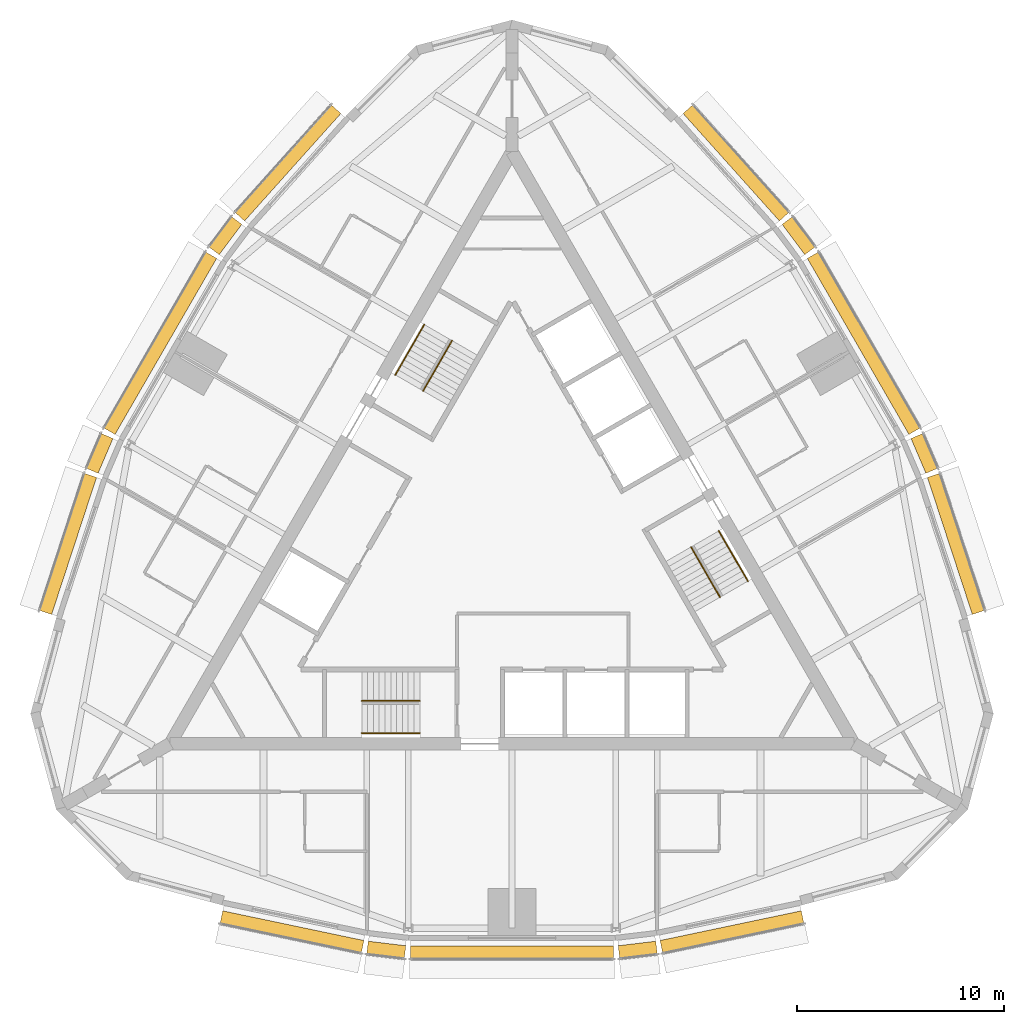
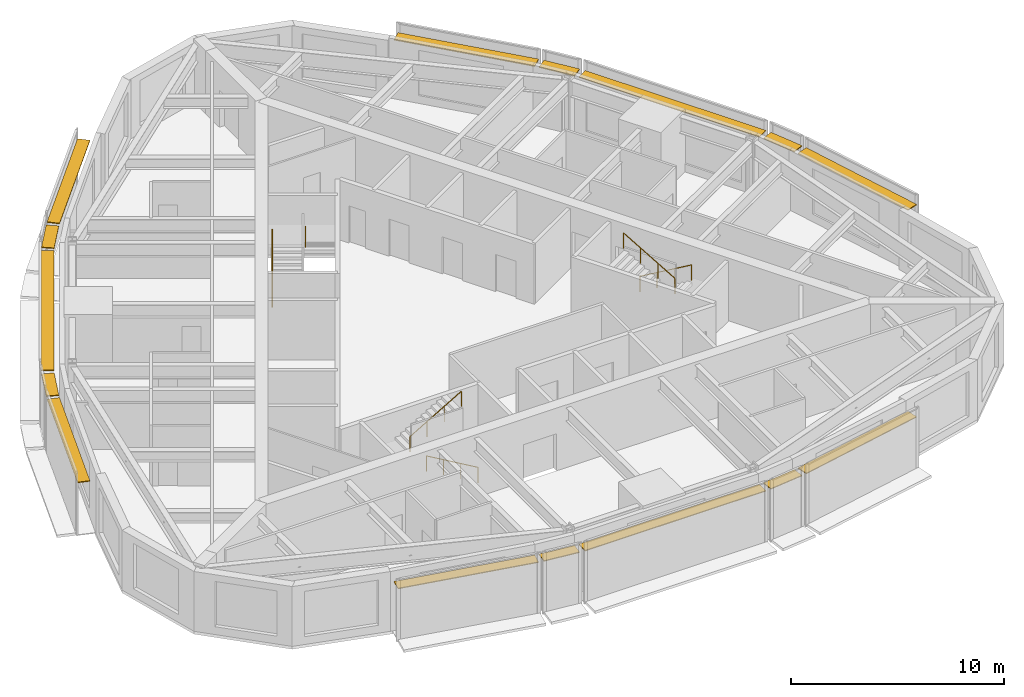
# One storey, part 12 of 12: 15 shading devices, 6 railings.
"""IFC4 building model written with IfcOpenShell, lengths in metres."""

from ifc_helpers import new_model, si_unit, direction, frame, origin, origin_2d, place, context, subcontext, project, spatial, rectangle, circle, extrude, material, type_object, element, save


model = new_model("IFC4")

# Units and contexts
model_context = context("Model", 3, precision=1e-05, world=origin(), true_north=direction((0.0, 1.0)))
body_context = subcontext(model_context, "Body", "Model", "MODEL_VIEW")
ifc_project = project(units=[si_unit("LENGTHUNIT", "METRE"), si_unit("AREAUNIT", "SQUARE_METRE"), si_unit("VOLUMEUNIT", "CUBIC_METRE"), si_unit("PLANEANGLEUNIT", "RADIAN"), si_unit("MASSUNIT", "GRAM", prefix="KILO")], contexts=[model_context])

# Site, building, storey
site_placement = place(None, origin())
site = spatial("IfcSite", under=ifc_project, at=site_placement, CompositionType="ELEMENT")
building_placement = place(site_placement, origin())
building = spatial("IfcBuilding", under=site, at=building_placement, Name="Trikona Tower", CompositionType="ELEMENT")
storey_placement = place(building_placement, frame((0.0, 0.0, 253.699951171875)))
storey = spatial("IfcBuildingStorey", under=building, at=storey_placement, Name="L67", CompositionType="ELEMENT", Elevation=253.699951171875)

# Shading devices
ifc_material_1 = material(Name="Aluminium louvre blade, pale anodised", Category="aluminium")
shading_device_type = type_object("IfcShadingDeviceType", Name="Cavity louvre 600", PredefinedType="USERDEFINED", material=ifc_material_1)
shading_device_1_placement = place(storey_placement, frame((-10.6162109375, -18.6083984375, 2.97509765625), z_axis=(0.0, 0.0, 1.0), x_axis=(0.97865342171, -0.205517590916, 0.0)))
element("IfcShadingDevice", 1, at=shading_device_1_placement, inside=storey, type_object=shading_device_type, Name="Cavity louvre L67-00", ObjectType="LOUVRE", PredefinedType="USERDEFINED", context=body_context, shape_type="SweptSolid", body=[
    extrude(rectangle(XDim=6.962646484375, YDim=0.60009765625, at=origin_2d()), origin(), (0.0, 0.0, 1.0), 0.050048828125),
])
shading_device_2_placement = place(storey_placement, frame((-6.0673828125, -19.471435546875, 2.97509765625), z_axis=(0.0, 0.0, 1.0), x_axis=(0.992876783199, -0.11914568135, 0.0)))
element("IfcShadingDevice", 2, at=shading_device_2_placement, inside=storey, type_object=shading_device_type, Name="Cavity louvre L67-01", ObjectType="LOUVRE", PredefinedType="USERDEFINED", context=body_context, shape_type="SweptSolid", body=[
    extrude(rectangle(XDim=1.82421875, YDim=0.60009765625, at=origin_2d()), origin(), (0.0, 0.0, 1.0), 0.050048828125),
])
shading_device_3_placement = place(storey_placement, frame((0.0, -19.595458984375, 2.97509765625), z_axis=(0.0, 0.0, 1.0), x_axis=(1.0, 0.0, 0.0)))
element("IfcShadingDevice", 3, at=shading_device_3_placement, inside=storey, type_object=shading_device_type, Name="Cavity louvre L67-02", ObjectType="LOUVRE", PredefinedType="USERDEFINED", context=body_context, shape_type="SweptSolid", body=[
    extrude(rectangle(XDim=9.81005859375, YDim=0.60009765625, at=origin_2d()), origin(), (0.0, 0.0, 1.0), 0.050048828125),
])
shading_device_4_placement = place(storey_placement, frame((6.0673828125, -19.471435546875, 2.97509765625), z_axis=(0.0, 0.0, 1.0), x_axis=(0.992876783199, 0.11914568135, 0.0)))
element("IfcShadingDevice", 4, at=shading_device_4_placement, inside=storey, type_object=shading_device_type, Name="Cavity louvre L67-03", ObjectType="LOUVRE", PredefinedType="USERDEFINED", context=body_context, shape_type="SweptSolid", body=[
    extrude(rectangle(XDim=1.82421875, YDim=0.60009765625, at=origin_2d()), origin(), (0.0, 0.0, 1.0), 0.050048828125),
])
for number, where, z_axis, x_axis, name in (
    (5, (10.6162109375, -18.6083984375, 2.97509765625), (0.0, 0.0, 1.0), (0.97865342171, 0.205517590916, 0.0), "Cavity louvre L67-04"),
    (6, (21.423583984375, 0.1103515625, 2.97509765625), (0.0, 0.0, 1.0), (-0.311336621861, 0.950299693722, 0.0), "Cavity louvre L67-09"),
):
    element("IfcShadingDevice", number, at=place(storey_placement, frame(where, z_axis=z_axis, x_axis=x_axis)), inside=storey, type_object=shading_device_type, Name=name, ObjectType="LOUVRE", PredefinedType="USERDEFINED", context=body_context, shape_type="SweptSolid", body=[
        extrude(rectangle(XDim=6.962646484375, YDim=0.60009765625, at=origin_2d()), origin(), (0.0, 0.0, 1.0), 0.050048828125),
    ])
shading_device_5_placement = place(storey_placement, frame((19.896484375, 4.481201171875, 2.97509765625), z_axis=(0.0, 0.0, 1.0), x_axis=(-0.39328408933, 0.919417002823, 0.0)))
element("IfcShadingDevice", 7, at=shading_device_5_placement, inside=storey, type_object=shading_device_type, Name="Cavity louvre L67-10", ObjectType="LOUVRE", PredefinedType="USERDEFINED", context=body_context, shape_type="SweptSolid", body=[
    extrude(rectangle(XDim=1.82421875, YDim=0.60009765625, at=origin_2d()), origin(), (0.0, 0.0, 1.0), 0.050048828125),
])
shading_device_6_placement = place(storey_placement, frame((16.97021484375, 9.797607421875, 2.97509765625), z_axis=(0.0, 0.0, 1.0), x_axis=(-0.4999984885, 0.866026276448, 0.0)))
element("IfcShadingDevice", 8, at=shading_device_6_placement, inside=storey, type_object=shading_device_type, Name="Cavity louvre L67-11", ObjectType="LOUVRE", PredefinedType="USERDEFINED", context=body_context, shape_type="SweptSolid", body=[
    extrude(rectangle(XDim=9.81005859375, YDim=0.60009765625, at=origin_2d()), origin(), (0.0, 0.0, 1.0), 0.050048828125),
])
shading_device_7_placement = place(storey_placement, frame((13.8291015625, 14.990234375, 2.97509765625), z_axis=(0.0, 0.0, 1.0), x_axis=(-0.599618784879, 0.800285769472, 0.0)))
element("IfcShadingDevice", 9, at=shading_device_7_placement, inside=storey, type_object=shading_device_type, Name="Cavity louvre L67-12", ObjectType="LOUVRE", PredefinedType="USERDEFINED", context=body_context, shape_type="SweptSolid", body=[
    extrude(rectangle(XDim=1.82421875, YDim=0.60009765625, at=origin_2d()), origin(), (0.0, 0.0, 1.0), 0.050048828125),
])
for number, where, z_axis, x_axis, name in (
    (10, (10.807373046875, 18.498046875, 2.97509765625), (0.0, 0.0, 1.0), (-0.667311465398, 0.744778764566, 0.0), "Cavity louvre L67-13"),
    (11, (-10.807373046875, 18.498046875, 2.97509765625), (0.0, 0.0, 1.0), (-0.667311465398, -0.744778764566, 0.0), "Cavity louvre L67-18"),
):
    element("IfcShadingDevice", number, at=place(storey_placement, frame(where, z_axis=z_axis, x_axis=x_axis)), inside=storey, type_object=shading_device_type, Name=name, ObjectType="LOUVRE", PredefinedType="USERDEFINED", context=body_context, shape_type="SweptSolid", body=[
        extrude(rectangle(XDim=6.962646484375, YDim=0.60009765625, at=origin_2d()), origin(), (0.0, 0.0, 1.0), 0.050048828125),
    ])
shading_device_8_placement = place(storey_placement, frame((-13.8291015625, 14.990234375, 2.97509765625), z_axis=(0.0, 0.0, 1.0), x_axis=(-0.599618784879, -0.800285769472, 0.0)))
element("IfcShadingDevice", 12, at=shading_device_8_placement, inside=storey, type_object=shading_device_type, Name="Cavity louvre L67-19", ObjectType="LOUVRE", PredefinedType="USERDEFINED", context=body_context, shape_type="SweptSolid", body=[
    extrude(rectangle(XDim=1.82421875, YDim=0.60009765625, at=origin_2d()), origin(), (0.0, 0.0, 1.0), 0.050048828125),
])
shading_device_9_placement = place(storey_placement, frame((-16.97021484375, 9.797607421875, 2.97509765625), z_axis=(0.0, 0.0, 1.0), x_axis=(-0.4999984885, -0.866026276448, 0.0)))
element("IfcShadingDevice", 13, at=shading_device_9_placement, inside=storey, type_object=shading_device_type, Name="Cavity louvre L67-20", ObjectType="LOUVRE", PredefinedType="USERDEFINED", context=body_context, shape_type="SweptSolid", body=[
    extrude(rectangle(XDim=9.81005859375, YDim=0.60009765625, at=origin_2d()), origin(), (0.0, 0.0, 1.0), 0.050048828125),
])
shading_device_10_placement = place(storey_placement, frame((-19.896484375, 4.481201171875, 2.97509765625), z_axis=(0.0, 0.0, 1.0), x_axis=(-0.39328408933, -0.919417002823, 0.0)))
element("IfcShadingDevice", 14, at=shading_device_10_placement, inside=storey, type_object=shading_device_type, Name="Cavity louvre L67-21", ObjectType="LOUVRE", PredefinedType="USERDEFINED", context=body_context, shape_type="SweptSolid", body=[
    extrude(rectangle(XDim=1.82421875, YDim=0.60009765625, at=origin_2d()), origin(), (0.0, 0.0, 1.0), 0.050048828125),
])
shading_device_11_placement = place(storey_placement, frame((-21.423583984375, 0.1103515625, 2.97509765625), z_axis=(0.0, 0.0, 1.0), x_axis=(-0.311336621861, -0.950299693722, 0.0)))
element("IfcShadingDevice", 15, at=shading_device_11_placement, inside=storey, type_object=shading_device_type, Name="Cavity louvre L67-22", ObjectType="LOUVRE", PredefinedType="USERDEFINED", context=body_context, shape_type="SweptSolid", body=[
    extrude(rectangle(XDim=6.962646484375, YDim=0.60009765625, at=origin_2d()), origin(), (0.0, 0.0, 1.0), 0.050048828125),
])

# Railings
ifc_material_2 = material(Name="Stainless steel handrail", Category="steel")
railing_type = type_object("IfcRailingType", Name="Stair handrail", PredefinedType="HANDRAIL", material=ifc_material_2)
railing_1_placement = place(storey_placement, frame((-4.449951171875, -9.016357421875, 0.16357421875)))
element("IfcRailing", 16, at=railing_1_placement, inside=storey, type_object=railing_type, Name="Stair handrail A L67 1", PredefinedType="HANDRAIL", context=body_context, shape_type="SweptSolid", body=[
    extrude(circle(Radius=0.02392578125, at=origin_2d()), frame((0.0, 0.0, 0.8759765625), z_axis=(-0.863360870873, 0.0, 0.504586966384), x_axis=(0.0, -1.0, 0.0)), (0.0, 0.0, 1.0), 3.2431640625),
    extrude(circle(Radius=0.02099609375, at=origin_2d()), origin(), (0.0, 0.0, 1.0), 0.851806640625),
    extrude(circle(Radius=0.02099609375, at=origin_2d()), frame((-0.933349609375, 0.0, 0.54541015625)), (0.0, 0.0, 1.0), 0.851806640625),
    extrude(circle(Radius=0.02099609375, at=origin_2d()), frame((-1.86669921875, 0.0, 1.091064453125)), (0.0, 0.0, 1.0), 0.851806640625),
    extrude(circle(Radius=0.02099609375, at=origin_2d()), frame((-2.800048828125, 0.0, 1.636474609375)), (0.0, 0.0, 1.0), 0.851806640625),
])
railing_2_placement = place(storey_placement, frame((-7.25, -7.46630859375, 1.963623046875)))
element("IfcRailing", 17, at=railing_2_placement, inside=storey, type_object=railing_type, Name="Stair handrail A L67 2", PredefinedType="HANDRAIL", context=body_context, shape_type="SweptSolid", body=[
    extrude(circle(Radius=0.02392578125, at=origin_2d()), frame((0.0, 0.0, 0.8759765625), z_axis=(0.863360870873, 0.0, 0.504586966384), x_axis=(0.0, 1.0, 0.0)), (0.0, 0.0, 1.0), 3.2431640625),
    extrude(circle(Radius=0.02099609375, at=origin_2d()), origin(), (0.0, 0.0, 1.0), 0.851806640625),
    extrude(circle(Radius=0.02099609375, at=origin_2d()), frame((0.933349609375, 0.0, 0.54541015625)), (0.0, 0.0, 1.0), 0.851806640625),
    extrude(circle(Radius=0.02099609375, at=origin_2d()), frame((1.86669921875, 0.0, 1.091064453125)), (0.0, 0.0, 1.0), 0.851806640625),
    extrude(circle(Radius=0.02099609375, at=origin_2d()), frame((2.800048828125, 0.0, 1.636474609375)), (0.0, 0.0, 1.0), 0.851806640625),
])
railing_3_placement = place(storey_placement, frame((9.9833984375, 0.740966796875, 0.16357421875)))
element("IfcRailing", 18, at=railing_3_placement, inside=storey, type_object=railing_type, Name="Stair handrail B L67 1", PredefinedType="HANDRAIL", context=body_context, shape_type="SweptSolid", body=[
    extrude(circle(Radius=0.02392578125, at=origin_2d()), frame((0.0, 0.0, 0.8759765625), z_axis=(0.431636334334, -0.747723004699, 0.504579412111), x_axis=(0.866056369097, 0.49994636267, 0.0)), (0.0, 0.0, 1.0), 3.2431640625),
    extrude(circle(Radius=0.02099609375, at=origin_2d()), origin(), (0.0, 0.0, 1.0), 0.851806640625),
    extrude(circle(Radius=0.02099609375, at=origin_2d()), frame((0.466552734375, -0.808349609375, 0.54541015625)), (0.0, 0.0, 1.0), 0.851806640625),
    extrude(circle(Radius=0.02099609375, at=origin_2d()), frame((0.933349609375, -1.61669921875, 1.091064453125)), (0.0, 0.0, 1.0), 0.851806640625),
    extrude(circle(Radius=0.02099609375, at=origin_2d()), frame((1.39990234375, -2.425048828125, 1.636474609375)), (0.0, 0.0, 1.0), 0.851806640625),
])
railing_4_placement = place(storey_placement, frame((10.041015625, -2.458984375, 1.963623046875)))
element("IfcRailing", 19, at=railing_4_placement, inside=storey, type_object=railing_type, Name="Stair handrail B L67 2", PredefinedType="HANDRAIL", context=body_context, shape_type="SweptSolid", body=[
    extrude(circle(Radius=0.02392578125, at=origin_2d()), frame((0.0, 0.0, 0.8759765625), z_axis=(-0.431636334334, 0.747723004699, 0.504579412111), x_axis=(-0.866056369097, -0.49994636267, 0.0)), (0.0, 0.0, 1.0), 3.2431640625),
    extrude(circle(Radius=0.02099609375, at=origin_2d()), origin(), (0.0, 0.0, 1.0), 0.851806640625),
    extrude(circle(Radius=0.02099609375, at=origin_2d()), frame((-0.466552734375, 0.808349609375, 0.54541015625)), (0.0, 0.0, 1.0), 0.851806640625),
    extrude(circle(Radius=0.02099609375, at=origin_2d()), frame((-0.933349609375, 1.61669921875, 1.091064453125)), (0.0, 0.0, 1.0), 0.851806640625),
    extrude(circle(Radius=0.02099609375, at=origin_2d()), frame((-1.39990234375, 2.425048828125, 1.636474609375)), (0.0, 0.0, 1.0), 0.851806640625),
])
railing_5_placement = place(storey_placement, frame((-5.63330078125, 8.275390625, 0.16357421875)))
element("IfcRailing", 20, at=railing_5_placement, inside=storey, type_object=railing_type, Name="Stair handrail C L67 1", PredefinedType="HANDRAIL", context=body_context, shape_type="SweptSolid", body=[
    extrude(circle(Radius=0.02392578125, at=origin_2d()), frame((0.0, 0.0, 0.8759765625), z_axis=(0.431660630283, 0.747689811644, 0.504607813879), x_axis=(-0.866034573852, 0.49998411664, 0.0)), (0.0, 0.0, 1.0), 3.2431640625),
    extrude(circle(Radius=0.02099609375, at=origin_2d()), origin(), (0.0, 0.0, 1.0), 0.851806640625),
    extrude(circle(Radius=0.02099609375, at=origin_2d()), frame((0.466552734375, 0.808349609375, 0.54541015625)), (0.0, 0.0, 1.0), 0.851806640625),
    extrude(circle(Radius=0.02099609375, at=origin_2d()), frame((0.933349609375, 1.616455078125, 1.091064453125)), (0.0, 0.0, 1.0), 0.851806640625),
    extrude(circle(Radius=0.02099609375, at=origin_2d()), frame((1.39990234375, 2.4248046875, 1.636474609375)), (0.0, 0.0, 1.0), 0.851806640625),
])
railing_6_placement = place(storey_placement, frame((-2.89111328125, 9.92529296875, 1.963623046875)))
element("IfcRailing", 21, at=railing_6_placement, inside=storey, type_object=railing_type, Name="Stair handrail C L67 2", PredefinedType="HANDRAIL", context=body_context, shape_type="SweptSolid", body=[
    extrude(circle(Radius=0.02392578125, at=origin_2d()), frame((0.0, 0.0, 0.8759765625), z_axis=(-0.431636334334, -0.747723004699, 0.504579412111), x_axis=(0.866056369097, -0.49994636267, 0.0)), (0.0, 0.0, 1.0), 3.2431640625),
    extrude(circle(Radius=0.02099609375, at=origin_2d()), origin(), (0.0, 0.0, 1.0), 0.851806640625),
    extrude(circle(Radius=0.02099609375, at=origin_2d()), frame((-0.466552734375, -0.808349609375, 0.54541015625)), (0.0, 0.0, 1.0), 0.851806640625),
    extrude(circle(Radius=0.02099609375, at=origin_2d()), frame((-0.933349609375, -1.61669921875, 1.091064453125)), (0.0, 0.0, 1.0), 0.851806640625),
    extrude(circle(Radius=0.02099609375, at=origin_2d()), frame((-1.39990234375, -2.425048828125, 1.636474609375)), (0.0, 0.0, 1.0), 0.851806640625),
])

save(model, "model.ifc")
